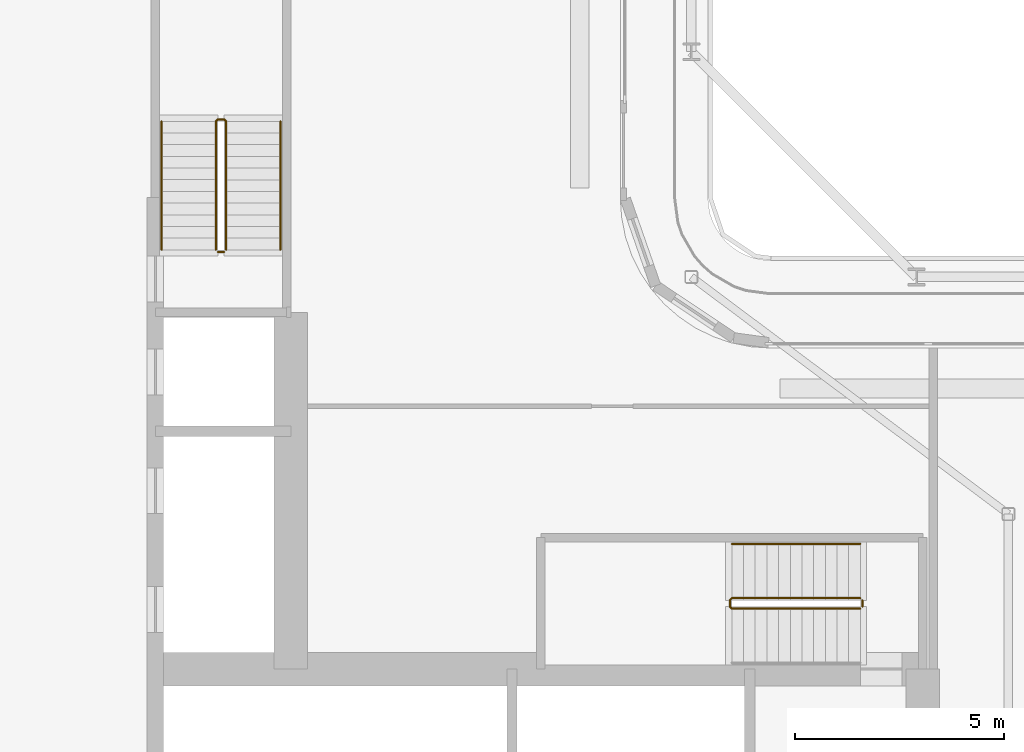
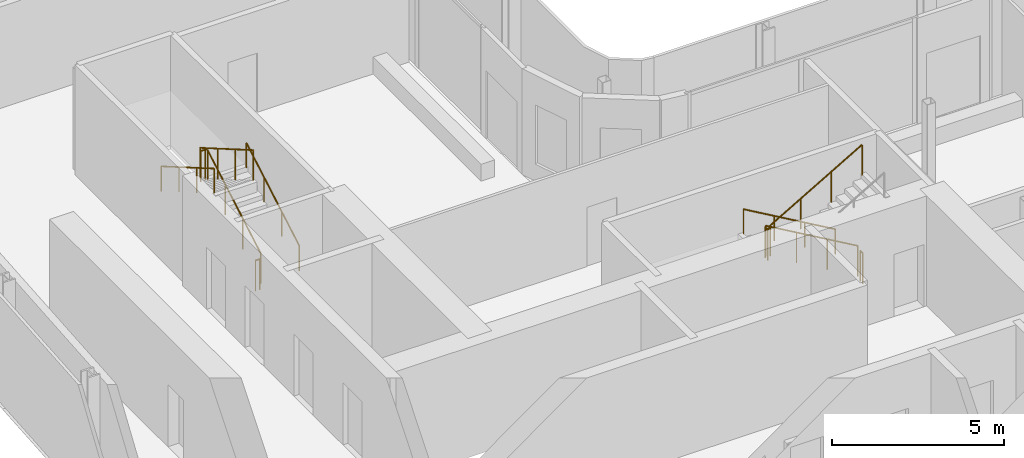
# One storey, part 24 of 29: 7 railings.
"""IFC4 building model written with IfcOpenShell, lengths in metres."""

from ifc_helpers import new_model, si_unit, direction, frame, origin, origin_2d, place, context, subcontext, project, spatial, circle, extrude, material, type_object, element, save


model = new_model("IFC4")

# Units and contexts
model_context = context("Model", 3, precision=1e-05, world=origin(), true_north=direction((0.0, 1.0)))
body_context = subcontext(model_context, "Body", "Model", "MODEL_VIEW")
ifc_project = project(units=[si_unit("LENGTHUNIT", "METRE"), si_unit("AREAUNIT", "SQUARE_METRE"), si_unit("VOLUMEUNIT", "CUBIC_METRE"), si_unit("PLANEANGLEUNIT", "RADIAN"), si_unit("MASSUNIT", "GRAM", prefix="KILO")], contexts=[model_context])

# Site, building, storey
site_placement = place(None, origin())
site = spatial("IfcSite", under=ifc_project, at=site_placement, CompositionType="ELEMENT")
building_placement = place(site_placement, origin())
building = spatial("IfcBuilding", under=site, at=building_placement, Name="Kheshtan School and Residences Tower", CompositionType="ELEMENT")
storey_placement = place(building_placement, frame((0.0, 0.0, 176.0)))
storey = spatial("IfcBuildingStorey", under=building, at=storey_placement, Name="L41", CompositionType="ELEMENT", Elevation=176.0)

# Railings
ifc_material_1 = material(Name="Stainless steel balustrade", Category="steel")
railing_type_1 = type_object("IfcRailingType", Name="Stair guard 1100", PredefinedType="GUARDRAIL", material=ifc_material_1)
railing_1_placement = place(storey_placement, frame((51.64990234375, 37.89990234375, 0.16259765625)))
element("IfcRailing", 1, at=railing_1_placement, inside=storey, type_object=railing_type_1, Name="L41 ST1 stair guard 1", PredefinedType="GUARDRAIL", context=body_context, shape_type="SweptSolid", body=[
    extrude(circle(Radius=0.02392578125, at=origin_2d()), frame((0.0, 0.0, 1.076171875), z_axis=(-0.864903211148, 0.0, 0.501938676878), x_axis=(0.0, -1.0, 0.0)), (0.0, 0.0, 1.0), 3.560791015625),
    extrude(circle(Radius=0.02392578125, at=origin_2d()), frame((-3.079833984375, 0.0, 2.86328125), z_axis=(-0.708833529934, -0.705375805398, 0.0), x_axis=(0.705375805398, -0.708833529934, 0.0)), (0.0, 0.0, 1.0), 0.070556640625),
    extrude(circle(Radius=0.02392578125, at=origin_2d()), frame((-3.1298828125, -0.0498046875, 2.86328125), z_axis=(0.0, -1.0, 0.0), x_axis=(1.0, 0.0, 0.0)), (0.0, 0.0, 1.0), 0.150146484375),
    extrude(circle(Radius=0.02392578125, at=origin_2d()), frame((-3.1298828125, -0.199951171875, 2.86328125), z_axis=(0.282227285176, -0.282227285176, 0.916894497205), x_axis=(0.707106781187, 0.707106781187, 0.0)), (0.0, 0.0, 1.0), 0.17724609375),
    extrude(circle(Radius=0.02392578125, at=origin_2d()), frame((-3.079833984375, -0.25, 3.02587890625), z_axis=(0.864903211148, 0.0, 0.501938676878), x_axis=(0.0, 1.0, 0.0)), (0.0, 0.0, 1.0), 3.560791015625),
    extrude(circle(Radius=0.02099609375, at=origin_2d()), origin(), (0.0, 0.0, 1.0), 1.052001953125),
    extrude(circle(Radius=0.02099609375, at=origin_2d()), frame((-1.026611328125, 0.0, 0.595703125)), (0.0, 0.0, 1.0), 1.052001953125),
    extrude(circle(Radius=0.02099609375, at=origin_2d()), frame((-2.05322265625, 0.0, 1.191650390625)), (0.0, 0.0, 1.0), 1.052001953125),
    extrude(circle(Radius=0.02099609375, at=origin_2d()), frame((-3.079833984375, 0.0, 1.787353515625)), (0.0, 0.0, 1.0), 1.052001953125),
    extrude(circle(Radius=0.02099609375, at=origin_2d()), frame((-3.1298828125, -0.0498046875, 1.787353515625)), (0.0, 0.0, 1.0), 1.052001953125),
    extrude(circle(Radius=0.02099609375, at=origin_2d()), frame((-3.1298828125, -0.199951171875, 1.787353515625)), (0.0, 0.0, 1.0), 1.052001953125),
    extrude(circle(Radius=0.02099609375, at=origin_2d()), frame((-3.079833984375, -0.25, 1.949951171875)), (0.0, 0.0, 1.0), 1.052001953125),
    extrude(circle(Radius=0.02099609375, at=origin_2d()), frame((-2.05322265625, -0.25, 2.545654296875)), (0.0, 0.0, 1.0), 1.052001953125),
    extrude(circle(Radius=0.02099609375, at=origin_2d()), frame((-1.026611328125, -0.25, 3.1416015625)), (0.0, 0.0, 1.0), 1.052001953125),
    extrude(circle(Radius=0.02099609375, at=origin_2d()), frame((0.0, -0.25, 3.7373046875)), (0.0, 0.0, 1.0), 1.052001953125),
])
railing_2_placement = place(storey_placement, frame((51.699951171875, 37.85009765625, 0.0)))
element("IfcRailing", 2, at=railing_2_placement, inside=storey, type_object=railing_type_1, Name="L41 ST1 stair guard 2", PredefinedType="GUARDRAIL", context=body_context, shape_type="SweptSolid", body=[
    extrude(circle(Radius=0.02392578125, at=origin_2d()), frame((0.0, 0.0, 1.076171875), z_axis=(0.0, -1.0, 0.0), x_axis=(1.0, 0.0, 0.0)), (0.0, 0.0, 1.0), 0.150146484375),
    extrude(circle(Radius=0.02099609375, at=origin_2d()), origin(), (0.0, 0.0, 1.0), 1.052001953125),
    extrude(circle(Radius=0.02099609375, at=origin_2d()), frame((0.0, -0.150146484375, 0.0)), (0.0, 0.0, 1.0), 1.052001953125),
])
railing_3_placement = place(storey_placement, frame((36.449951171875, 46.25, 0.16259765625)))
element("IfcRailing", 3, at=railing_3_placement, inside=storey, type_object=railing_type_1, Name="L41 ST2 stair guard 1", PredefinedType="GUARDRAIL", context=body_context, shape_type="SweptSolid", body=[
    extrude(circle(Radius=0.02392578125, at=origin_2d()), frame((0.0, 0.0, 1.076171875), z_axis=(0.0, 0.864920483161, 0.501908913857), x_axis=(-1.0, 0.0, 0.0)), (0.0, 0.0, 1.0), 3.56103515625),
    extrude(circle(Radius=0.02392578125, at=origin_2d()), frame((0.0, 3.080078125, 2.86328125), z_axis=(-0.708833529934, 0.705375805398, 0.0), x_axis=(-0.705375805398, -0.708833529934, 0.0)), (0.0, 0.0, 1.0), 0.070556640625),
    extrude(circle(Radius=0.02392578125, at=origin_2d()), frame((-0.050048828125, 3.1298828125, 2.86328125), z_axis=(-1.0, 0.0, 0.0), x_axis=(0.0, -1.0, 0.0)), (0.0, 0.0, 1.0), 0.14990234375),
    extrude(circle(Radius=0.02392578125, at=origin_2d()), frame((-0.199951171875, 3.1298828125, 2.86328125), z_axis=(-0.282336740067, -0.280959487676, 0.917250092119), x_axis=(0.705375805398, -0.708833529934, 0.0)), (0.0, 0.0, 1.0), 0.17724609375),
    extrude(circle(Radius=0.02392578125, at=origin_2d()), frame((-0.25, 3.080078125, 3.02587890625), z_axis=(0.0, -0.864920483161, 0.501908913857), x_axis=(1.0, 0.0, 0.0)), (0.0, 0.0, 1.0), 3.56103515625),
    extrude(circle(Radius=0.02099609375, at=origin_2d()), origin(), (0.0, 0.0, 1.0), 1.052001953125),
    extrude(circle(Radius=0.02099609375, at=origin_2d()), frame((0.0, 1.026611328125, 0.595703125)), (0.0, 0.0, 1.0), 1.052001953125),
    extrude(circle(Radius=0.02099609375, at=origin_2d()), frame((0.0, 2.053466796875, 1.191650390625)), (0.0, 0.0, 1.0), 1.052001953125),
    extrude(circle(Radius=0.02099609375, at=origin_2d()), frame((0.0, 3.080078125, 1.787353515625)), (0.0, 0.0, 1.0), 1.052001953125),
    extrude(circle(Radius=0.02099609375, at=origin_2d()), frame((-0.050048828125, 3.1298828125, 1.787353515625)), (0.0, 0.0, 1.0), 1.052001953125),
    extrude(circle(Radius=0.02099609375, at=origin_2d()), frame((-0.199951171875, 3.1298828125, 1.787353515625)), (0.0, 0.0, 1.0), 1.052001953125),
    extrude(circle(Radius=0.02099609375, at=origin_2d()), frame((-0.25, 3.080078125, 1.949951171875)), (0.0, 0.0, 1.0), 1.052001953125),
    extrude(circle(Radius=0.02099609375, at=origin_2d()), frame((-0.25, 2.053466796875, 2.545654296875)), (0.0, 0.0, 1.0), 1.052001953125),
    extrude(circle(Radius=0.02099609375, at=origin_2d()), frame((-0.25, 1.026611328125, 3.1416015625)), (0.0, 0.0, 1.0), 1.052001953125),
    extrude(circle(Radius=0.02099609375, at=origin_2d()), frame((-0.25, 0.0, 3.7373046875)), (0.0, 0.0, 1.0), 1.052001953125),
])
railing_4_placement = place(storey_placement, frame((36.39990234375, 46.199951171875, 0.0)))
element("IfcRailing", 4, at=railing_4_placement, inside=storey, type_object=railing_type_1, Name="L41 ST2 stair guard 2", PredefinedType="GUARDRAIL", context=body_context, shape_type="SweptSolid", body=[
    extrude(circle(Radius=0.02392578125, at=origin_2d()), frame((0.0, 0.0, 1.076171875), z_axis=(-1.0, 0.0, 0.0), x_axis=(0.0, -1.0, 0.0)), (0.0, 0.0, 1.0), 0.14990234375),
    extrude(circle(Radius=0.02099609375, at=origin_2d()), origin(), (0.0, 0.0, 1.0), 1.052001953125),
    extrude(circle(Radius=0.02099609375, at=origin_2d()), frame((-0.14990234375, 0.0, 0.0)), (0.0, 0.0, 1.0), 1.052001953125),
])
ifc_material_2 = material(Name="Stainless steel handrail", Category="steel")
railing_type_2 = type_object("IfcRailingType", Name="Stair handrail 900", PredefinedType="HANDRAIL", material=ifc_material_2)
railing_5_placement = place(storey_placement, frame((51.64990234375, 39.199951171875, 0.16259765625)))
element("IfcRailing", 5, at=railing_5_placement, inside=storey, type_object=railing_type_2, Name="L41 ST1 stair handrail 1", PredefinedType="HANDRAIL", context=body_context, shape_type="SweptSolid", body=[
    extrude(circle(Radius=0.02392578125, at=origin_2d()), frame((0.0, 0.0, 0.8759765625), z_axis=(-0.864903211148, 0.0, 0.501938676878), x_axis=(0.0, -1.0, 0.0)), (0.0, 0.0, 1.0), 3.560791015625),
    extrude(circle(Radius=0.02099609375, at=origin_2d()), origin(), (0.0, 0.0, 1.0), 0.851806640625),
    extrude(circle(Radius=0.02099609375, at=origin_2d()), frame((-1.026611328125, 0.0, 0.595703125)), (0.0, 0.0, 1.0), 0.851806640625),
    extrude(circle(Radius=0.02099609375, at=origin_2d()), frame((-2.05322265625, 0.0, 1.191650390625)), (0.0, 0.0, 1.0), 0.851806640625),
    extrude(circle(Radius=0.02099609375, at=origin_2d()), frame((-3.079833984375, 0.0, 1.787353515625)), (0.0, 0.0, 1.0), 0.851806640625),
])
railing_6_placement = place(storey_placement, frame((37.75, 46.25, 0.16259765625)))
element("IfcRailing", 6, at=railing_6_placement, inside=storey, type_object=railing_type_2, Name="L41 ST2 stair handrail 1", PredefinedType="HANDRAIL", context=body_context, shape_type="SweptSolid", body=[
    extrude(circle(Radius=0.02392578125, at=origin_2d()), frame((0.0, 0.0, 0.8759765625), z_axis=(0.0, 0.864920483161, 0.501908913857), x_axis=(-1.0, 0.0, 0.0)), (0.0, 0.0, 1.0), 3.56103515625),
    extrude(circle(Radius=0.02099609375, at=origin_2d()), origin(), (0.0, 0.0, 1.0), 0.851806640625),
    extrude(circle(Radius=0.02099609375, at=origin_2d()), frame((0.0, 1.026611328125, 0.595703125)), (0.0, 0.0, 1.0), 0.851806640625),
    extrude(circle(Radius=0.02099609375, at=origin_2d()), frame((0.0, 2.053466796875, 1.191650390625)), (0.0, 0.0, 1.0), 0.851806640625),
    extrude(circle(Radius=0.02099609375, at=origin_2d()), frame((0.0, 3.080078125, 1.787353515625)), (0.0, 0.0, 1.0), 0.851806640625),
])
railing_7_placement = place(storey_placement, frame((34.89990234375, 49.330078125, 2.112548828125)))
element("IfcRailing", 7, at=railing_7_placement, inside=storey, type_object=railing_type_2, Name="L41 ST2 stair handrail 2", PredefinedType="HANDRAIL", context=body_context, shape_type="SweptSolid", body=[
    extrude(circle(Radius=0.02392578125, at=origin_2d()), frame((0.0, 0.0, 0.8759765625), z_axis=(0.0, -0.864920483161, 0.501908913857), x_axis=(1.0, 0.0, 0.0)), (0.0, 0.0, 1.0), 3.56103515625),
    extrude(circle(Radius=0.02099609375, at=origin_2d()), origin(), (0.0, 0.0, 1.0), 0.851806640625),
    extrude(circle(Radius=0.02099609375, at=origin_2d()), frame((0.0, -1.026611328125, 0.595703125)), (0.0, 0.0, 1.0), 0.851806640625),
    extrude(circle(Radius=0.02099609375, at=origin_2d()), frame((0.0, -2.053466796875, 1.191650390625)), (0.0, 0.0, 1.0), 0.851806640625),
    extrude(circle(Radius=0.02099609375, at=origin_2d()), frame((0.0, -3.080078125, 1.787353515625)), (0.0, 0.0, 1.0), 0.851806640625),
])

save(model, "model.ifc")
